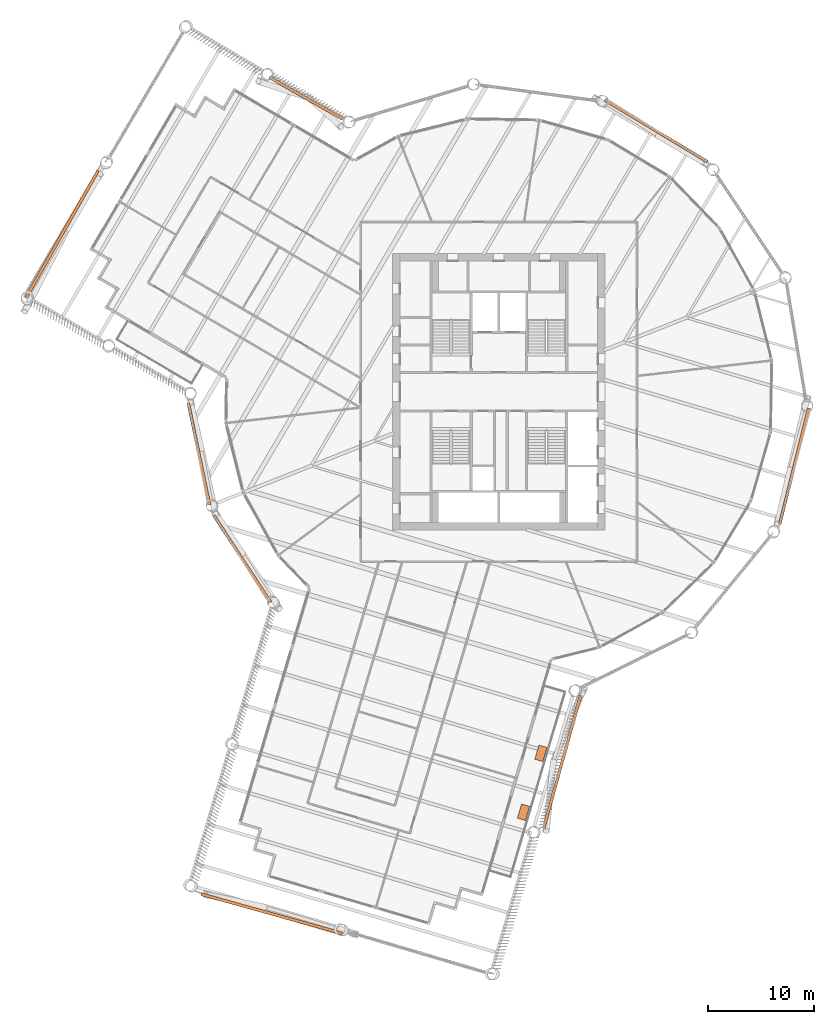
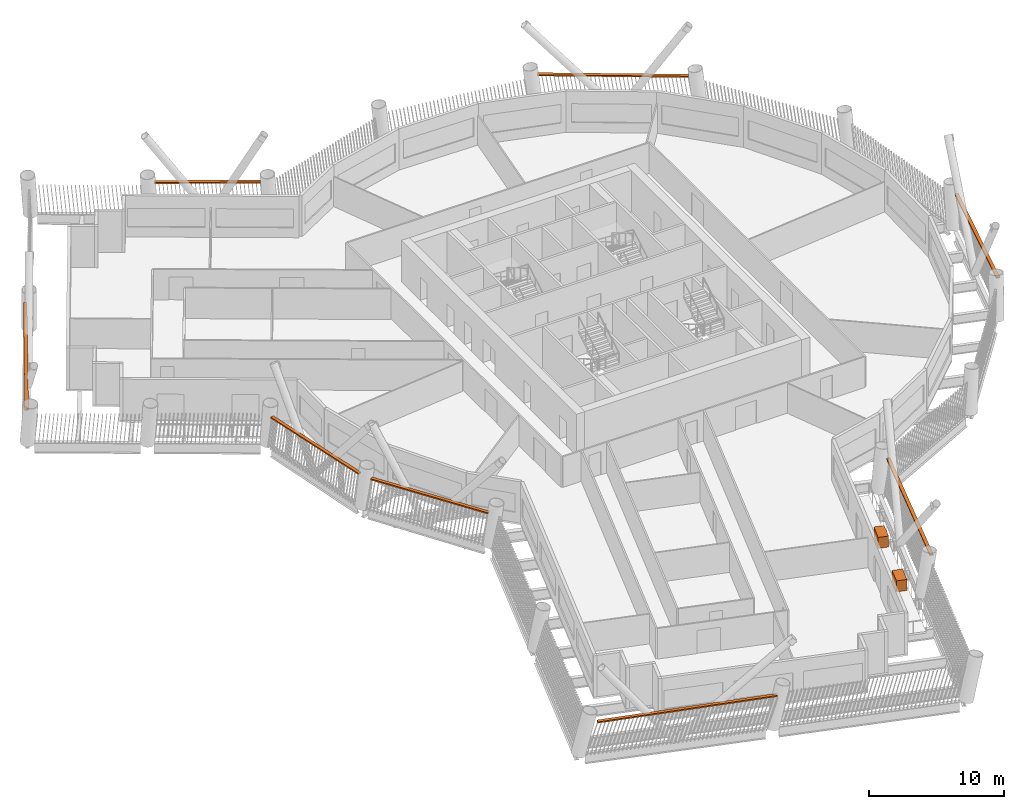
# One storey, part 23 of 23: 10 proxies.
"""IFC4 building model written with IfcOpenShell, lengths in metres."""

from ifc_helpers import new_model, si_unit, direction, frame, origin, origin_2d, place, context, subcontext, project, spatial, rectangle, extrude, material, type_object, element, save


model = new_model("IFC4")

# Units and contexts
model_context = context("Model", 3, precision=1e-05, world=origin(), true_north=direction((0.0, 1.0)))
body_context = subcontext(model_context, "Body", "Model", "MODEL_VIEW")
ifc_project = project(units=[si_unit("LENGTHUNIT", "METRE"), si_unit("AREAUNIT", "SQUARE_METRE"), si_unit("VOLUMEUNIT", "CUBIC_METRE"), si_unit("PLANEANGLEUNIT", "RADIAN"), si_unit("MASSUNIT", "GRAM", prefix="KILO")], contexts=[model_context])

# Site, building, storey
site_placement = place(None, origin())
site = spatial("IfcSite", under=ifc_project, at=site_placement, CompositionType="ELEMENT")
building_placement = place(site_placement, origin())
building = spatial("IfcBuilding", under=site, at=building_placement, Name="Tarsis Ring Headquarters", CompositionType="ELEMENT")
storey_placement = place(building_placement, frame((0.0, 0.0, 155.39990234375)))
storey = spatial("IfcBuildingStorey", under=building, at=storey_placement, Name="L35", CompositionType="ELEMENT", Elevation=155.39990234375)

# Proxies
ifc_material_1 = material(Name="Structural steel S355", Category="steel")
building_element_proxy_type_1 = type_object("IfcBuildingElementProxyType", Name="Screen bracket plate", PredefinedType="USERDEFINED", material=ifc_material_1)
proxy_1_placement = place(storey_placement, frame((-24.15283203125, -15.760009765625, 2.949951171875), z_axis=(0.0, 0.0, 1.0), x_axis=(0.546467198894, -0.837480507554, 0.0)))
element("IfcBuildingElementProxy", 1, at=proxy_1_placement, inside=storey, type_object=building_element_proxy_type_1, Name="Screen bracket L35-00", ObjectType="Bracket", PredefinedType="USERDEFINED", context=body_context, shape_type="SweptSolid", body=[
    extrude(rectangle(XDim=9.771728515625, YDim=0.280029296875, at=origin_2d()), origin(), (0.0, 0.0, 1.0), 0.1201171875),
])
proxy_2_placement = place(storey_placement, frame((-21.371337890625, -49.1640625, 2.949951171875), z_axis=(0.0, 0.0, 1.0), x_axis=(0.963350068835, -0.268247357628, 0.0)))
element("IfcBuildingElementProxy", 2, at=proxy_2_placement, inside=storey, type_object=building_element_proxy_type_1, Name="Screen bracket L35-03", ObjectType="Bracket", PredefinedType="USERDEFINED", context=body_context, shape_type="SweptSolid", body=[
    extrude(rectangle(XDim=13.800048828125, YDim=0.280029296875, at=origin_2d()), origin(), (0.0, 0.0, 1.0), 0.1201171875),
])
proxy_3_placement = place(storey_placement, frame((5.97216796875, -34.824951171875, 2.949951171875), z_axis=(0.0, 0.0, 1.0), x_axis=(0.268247374442, 0.963350064154, 0.0)))
element("IfcBuildingElementProxy", 3, at=proxy_3_placement, inside=storey, type_object=building_element_proxy_type_1, Name="Screen bracket L35-06", ObjectType="Bracket", PredefinedType="USERDEFINED", context=body_context, shape_type="SweptSolid", body=[
    extrude(rectangle(XDim=12.90234375, YDim=0.280029296875, at=origin_2d()), origin(), (0.0, 0.0, 1.0), 0.1201171875),
])
for number, where, z_axis, x_axis, name in (
    (4, (27.829345703125, -6.976806640625, 2.949951171875), (0.0, 0.0, 1.0), (0.243170488045, 0.969983563646, 0.0), "Screen bracket L35-09"),
    (5, (14.796630859375, 24.58056640625, 2.949951171875), (0.0, 0.0, 1.0), (-0.856751176125, 0.515729989634, 0.0), "Screen bracket L35-12"),
):
    element("IfcBuildingElementProxy", number, at=place(storey_placement, frame(where, z_axis=z_axis, x_axis=x_axis)), inside=storey, type_object=building_element_proxy_type_1, Name=name, ObjectType="Bracket", PredefinedType="USERDEFINED", context=body_context, shape_type="SweptSolid", body=[
        extrude(rectangle(XDim=11.248779296875, YDim=0.280029296875, at=origin_2d()), origin(), (0.0, 0.0, 1.0), 0.1201171875),
    ])
proxy_4_placement = place(storey_placement, frame((-18.1669921875, 27.6572265625, 2.949951171875), z_axis=(0.0, 0.0, 1.0), x_axis=(-0.869839597114, 0.493334648381, 0.0)))
element("IfcBuildingElementProxy", 6, at=proxy_4_placement, inside=storey, type_object=building_element_proxy_type_1, Name="Screen bracket L35-15", ObjectType="Bracket", PredefinedType="USERDEFINED", context=body_context, shape_type="SweptSolid", body=[
    extrude(rectangle(XDim=7.90234375, YDim=0.280029296875, at=origin_2d()), origin(), (0.0, 0.0, 1.0), 0.1201171875),
])
proxy_5_placement = place(storey_placement, frame((-41.136474609375, 14.823486328125, 2.949951171875), z_axis=(0.0, 0.0, 1.0), x_axis=(-0.493334693926, -0.869839571283, 0.0)))
element("IfcBuildingElementProxy", 7, at=proxy_5_placement, inside=storey, type_object=building_element_proxy_type_1, Name="Screen bracket L35-18", ObjectType="Bracket", PredefinedType="USERDEFINED", context=body_context, shape_type="SweptSolid", body=[
    extrude(rectangle(XDim=13.800048828125, YDim=0.280029296875, at=origin_2d()), origin(), (0.0, 0.0, 1.0), 0.1201171875),
])
proxy_6_placement = place(storey_placement, frame((-28.235107421875, -5.87548828125, 2.949951171875), z_axis=(0.0, 0.0, 1.0), x_axis=(0.20372749577, -0.979027633659, 0.0)))
element("IfcBuildingElementProxy", 8, at=proxy_6_placement, inside=storey, type_object=building_element_proxy_type_1, Name="Screen bracket L35-21", ObjectType="Bracket", PredefinedType="USERDEFINED", context=body_context, shape_type="SweptSolid", body=[
    extrude(rectangle(XDim=9.771728515625, YDim=0.280029296875, at=origin_2d()), origin(), (0.0, 0.0, 1.0), 0.1201171875),
])
ifc_material_2 = material(Name="Planter soil mix and tree")
building_element_proxy_type_2 = type_object("IfcBuildingElementProxyType", Name="Tree planter", PredefinedType="USERDEFINED", material=ifc_material_2)
for number, where, z_axis, x_axis, name in (
    (9, (2.32470703125, -39.599853515625, 0.0), (0.0, 0.0, 1.0), (0.283345909831, 0.959017776364, 0.0), "Tree planter L35-16.2"),
    (10, (3.96484375, -34.04931640625, 0.0), (0.0, 0.0, 1.0), (0.283345909831, 0.959017776364, 0.0), "Tree planter L35-16.3"),
):
    element("IfcBuildingElementProxy", number, at=place(storey_placement, frame(where, z_axis=z_axis, x_axis=x_axis)), inside=storey, type_object=building_element_proxy_type_2, Name=name, ObjectType="Planter", PredefinedType="USERDEFINED", context=body_context, shape_type="SweptSolid", body=[
        extrude(rectangle(XDim=1.39990234375, YDim=0.800048828125, at=origin_2d()), origin(), (0.0, 0.0, 1.0), 1.0),
    ])

save(model, "model.ifc")
